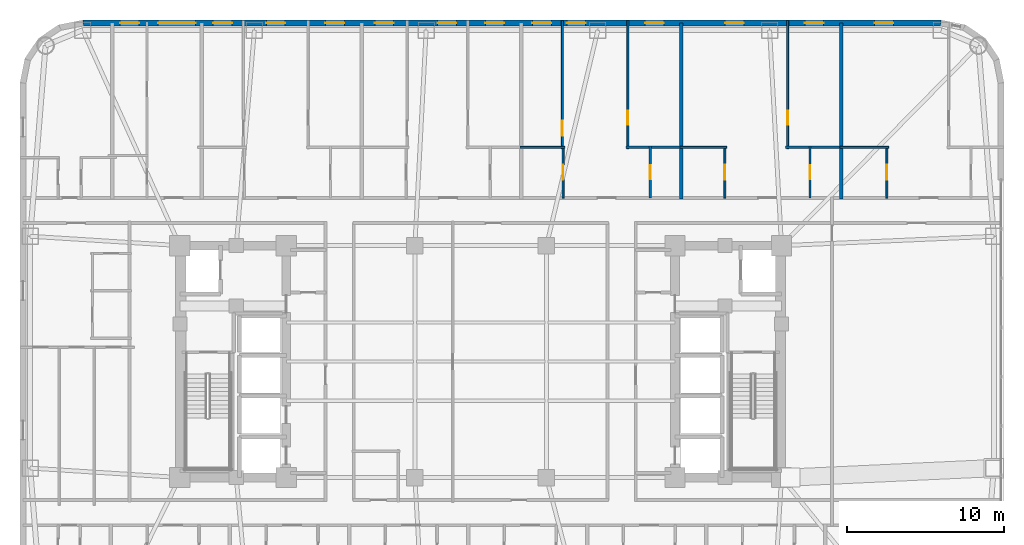
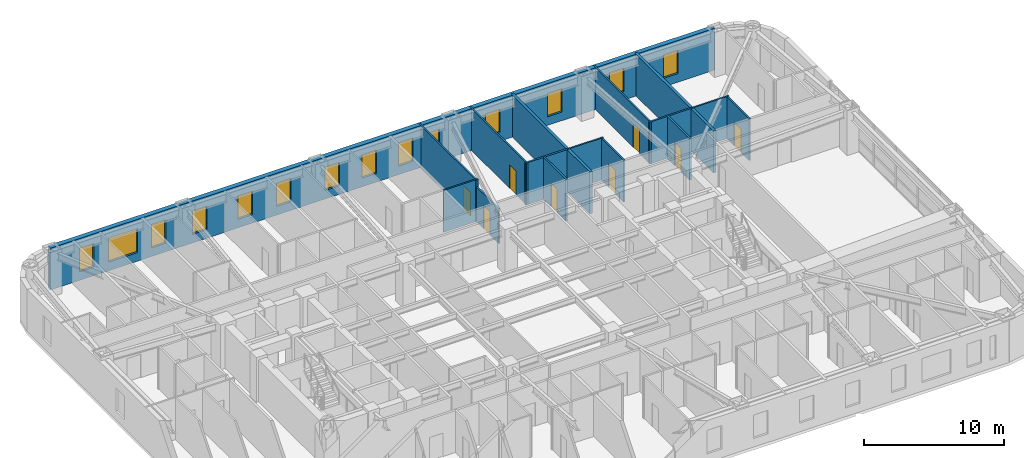
# One storey, part 13 of 16: 16 walls, 14 windows, 8 doors, 22 openings.
"""IFC4 building model written with IfcOpenShell, lengths in metres."""

from ifc_helpers import new_model, si_unit, direction, frame, frame_2d, origin, place, context, subcontext, project, spatial, rectangle, extrude, material, layer, layer_set, type_object, element, fill, save


model = new_model("IFC4")

# Units and contexts
model_context = context("Model", 3, precision=1e-05, world=origin(), true_north=direction((0.0, 1.0)))
body_context = subcontext(model_context, "Body", "Model", "MODEL_VIEW")
ifc_project = project(units=[si_unit("LENGTHUNIT", "METRE"), si_unit("AREAUNIT", "SQUARE_METRE"), si_unit("VOLUMEUNIT", "CUBIC_METRE"), si_unit("PLANEANGLEUNIT", "RADIAN"), si_unit("MASSUNIT", "GRAM", prefix="KILO")], contexts=[model_context])

# Site, building, storey
site_placement = place(None, origin())
site = spatial("IfcSite", under=ifc_project, at=site_placement, CompositionType="ELEMENT")
building_placement = place(site_placement, origin())
building = spatial("IfcBuilding", under=site, at=building_placement, Name="Voryun Gate Residences", CompositionType="ELEMENT")
storey_placement = place(building_placement, frame((0.0, 0.0, 93.60009765625)))
storey = spatial("IfcBuildingStorey", under=building, at=storey_placement, Name="L22", CompositionType="ELEMENT", Elevation=93.60009765625)

# Wall, openings, windows
ifc_material_1 = material(Name="Granite masonry", Category="masonry")
ifc_layer_1 = layer(ifc_material_1, 0.3798828125, Name="W_EXT_GRANITE_380")
ifc_layer_set_1 = layer_set([ifc_layer_1], Name="Granite masonry")
wall_type_1 = type_object("IfcWallType", Name="W_EXT_GRANITE_380", PredefinedType="ELEMENTEDWALL", material=ifc_layer_set_1)
wall_1_placement = place(storey_placement, frame((-25.38134765625, 21.610107421875, 0.0), z_axis=(0.0, 0.0, 1.0), x_axis=(1.0, 0.0, 0.0)))
wall_1 = element("IfcWall", 1, at=wall_1_placement, inside=storey, type_object=wall_type_1, Name="Exterior wall WEXT-L22-11", PredefinedType="ELEMENTEDWALL", context=body_context, shape_type="SweptSolid", body=[
    extrude(rectangle(XDim=54.7626953125, YDim=0.3798828125, at=frame_2d((27.38134765625, 0.0))), origin(), (0.0, 0.0, 1.0), 3.64990234375),
])
opening_1_placement = place(wall_1_placement, frame((4.79541015625, 0.0, 0.75)))
opening_1 = element("IfcOpeningElement", 2, at=opening_1_placement, cuts=wall_1, Name="Opening WN2", PredefinedType="OPENING", context=body_context, shape_type="SweptSolid", body=[
    extrude(rectangle(XDim=2.39990234375, YDim=2.10009765625, at=frame_2d((1.199951171875, 1.050048828125))), frame((0.0, 0.199951171875, 0.0), z_axis=(0.0, -1.0, 0.0), x_axis=(1.0, 0.0, 0.0)), (0.0, 0.0, 1.0), 0.39990234375),
])
opening_2_placement = place(wall_1_placement, frame((2.377197265625, 0.0, 0.75)))
opening_2 = element("IfcOpeningElement", 3, at=opening_2_placement, cuts=wall_1, Name="Opening WN6", PredefinedType="OPENING", context=body_context, shape_type="SweptSolid", body=[
    extrude(rectangle(XDim=1.199951171875, YDim=2.050048828125, at=frame_2d((0.60009765625, 1.02490234375))), frame((0.0, 0.199951171875, 0.0), z_axis=(0.0, -1.0, 0.0), x_axis=(1.0, 0.0, 0.0)), (0.0, 0.0, 1.0), 0.39990234375),
])
opening_3_placement = place(wall_1_placement, frame((11.706787109375, 0.0, 0.75)))
opening_3 = element("IfcOpeningElement", 4, at=opening_3_placement, cuts=wall_1, Name="Opening WN6", PredefinedType="OPENING", context=body_context, shape_type="SweptSolid", body=[
    extrude(rectangle(XDim=1.199951171875, YDim=2.050048828125, at=frame_2d((0.60009765625, 1.02490234375))), frame((0.0, 0.199951171875, 0.0), z_axis=(0.0, -1.0, 0.0), x_axis=(1.0, 0.0, 0.0)), (0.0, 0.0, 1.0), 0.39990234375),
])
opening_4_placement = place(wall_1_placement, frame((8.311767578125, 0.0, 0.75)))
opening_4 = element("IfcOpeningElement", 5, at=opening_4_placement, cuts=wall_1, Name="Opening WN6", PredefinedType="OPENING", context=body_context, shape_type="SweptSolid", body=[
    extrude(rectangle(XDim=1.199951171875, YDim=2.050048828125, at=frame_2d((0.60009765625, 1.02490234375))), frame((0.0, 0.199951171875, 0.0), z_axis=(0.0, -1.0, 0.0), x_axis=(1.0, 0.0, 0.0)), (0.0, 0.0, 1.0), 0.39990234375),
])
opening_5_placement = place(wall_1_placement, frame((15.476318359375, 0.0, 0.75)))
opening_5 = element("IfcOpeningElement", 6, at=opening_5_placement, cuts=wall_1, Name="Opening WN6", PredefinedType="OPENING", context=body_context, shape_type="SweptSolid", body=[
    extrude(rectangle(XDim=1.199951171875, YDim=2.050048828125, at=frame_2d((0.60009765625, 1.02490234375))), frame((0.0, 0.199951171875, 0.0), z_axis=(0.0, -1.0, 0.0), x_axis=(1.0, 0.0, 0.0)), (0.0, 0.0, 1.0), 0.39990234375),
])
opening_6_placement = place(wall_1_placement, frame((22.627685546875, 0.0, 0.75)))
opening_6 = element("IfcOpeningElement", 7, at=opening_6_placement, cuts=wall_1, Name="Opening WN6", PredefinedType="OPENING", context=body_context, shape_type="SweptSolid", body=[
    extrude(rectangle(XDim=1.199951171875, YDim=2.050048828125, at=frame_2d((0.60009765625, 1.02490234375))), frame((0.0, 0.199951171875, 0.0), z_axis=(0.0, -1.0, 0.0), x_axis=(1.0, 0.0, 0.0)), (0.0, 0.0, 1.0), 0.39990234375),
])
opening_7_placement = place(wall_1_placement, frame((18.6328125, 0.0, 0.75)))
opening_7 = element("IfcOpeningElement", 8, at=opening_7_placement, cuts=wall_1, Name="Opening WN6", PredefinedType="OPENING", context=body_context, shape_type="SweptSolid", body=[
    extrude(rectangle(XDim=1.199951171875, YDim=2.050048828125, at=frame_2d((0.60009765625, 1.02490234375))), frame((0.0, 0.199951171875, 0.0), z_axis=(0.0, -1.0, 0.0), x_axis=(1.0, 0.0, 0.0)), (0.0, 0.0, 1.0), 0.39990234375),
])
opening_8_placement = place(wall_1_placement, frame((25.67626953125, 0.0, 0.75)))
opening_8 = element("IfcOpeningElement", 9, at=opening_8_placement, cuts=wall_1, Name="Opening WN6", PredefinedType="OPENING", context=body_context, shape_type="SweptSolid", body=[
    extrude(rectangle(XDim=1.199951171875, YDim=2.050048828125, at=frame_2d((0.60009765625, 1.02490234375))), frame((0.0, 0.199951171875, 0.0), z_axis=(0.0, -1.0, 0.0), x_axis=(1.0, 0.0, 0.0)), (0.0, 0.0, 1.0), 0.39990234375),
])
opening_9_placement = place(wall_1_placement, frame((30.88134765625, 0.0, 0.75)))
opening_9 = element("IfcOpeningElement", 10, at=opening_9_placement, cuts=wall_1, Name="Opening WN6", PredefinedType="OPENING", context=body_context, shape_type="SweptSolid", body=[
    extrude(rectangle(XDim=1.199951171875, YDim=2.050048828125, at=frame_2d((0.60009765625, 1.02490234375))), frame((0.0, 0.199951171875, 0.0), z_axis=(0.0, -1.0, 0.0), x_axis=(1.0, 0.0, 0.0)), (0.0, 0.0, 1.0), 0.39990234375),
])
opening_10_placement = place(wall_1_placement, frame((28.686279296875, 0.0, 0.75)))
opening_10 = element("IfcOpeningElement", 11, at=opening_10_placement, cuts=wall_1, Name="Opening WN6", PredefinedType="OPENING", context=body_context, shape_type="SweptSolid", body=[
    extrude(rectangle(XDim=1.199951171875, YDim=2.050048828125, at=frame_2d((0.60009765625, 1.02490234375))), frame((0.0, 0.199951171875, 0.0), z_axis=(0.0, -1.0, 0.0), x_axis=(1.0, 0.0, 0.0)), (0.0, 0.0, 1.0), 0.39990234375),
])
opening_11_placement = place(wall_1_placement, frame((35.876220703125, 0.0, 0.75)))
opening_11 = element("IfcOpeningElement", 12, at=opening_11_placement, cuts=wall_1, Name="Opening WN6", PredefinedType="OPENING", context=body_context, shape_type="SweptSolid", body=[
    extrude(rectangle(XDim=1.199951171875, YDim=2.050048828125, at=frame_2d((0.60009765625, 1.02490234375))), frame((0.0, 0.199951171875, 0.0), z_axis=(0.0, -1.0, 0.0), x_axis=(1.0, 0.0, 0.0)), (0.0, 0.0, 1.0), 0.39990234375),
])
opening_12_placement = place(wall_1_placement, frame((40.976318359375, 0.0, 0.75)))
opening_12 = element("IfcOpeningElement", 13, at=opening_12_placement, cuts=wall_1, Name="Opening WN6", PredefinedType="OPENING", context=body_context, shape_type="SweptSolid", body=[
    extrude(rectangle(XDim=1.199951171875, YDim=2.050048828125, at=frame_2d((0.60009765625, 1.02490234375))), frame((0.0, 0.199951171875, 0.0), z_axis=(0.0, -1.0, 0.0), x_axis=(1.0, 0.0, 0.0)), (0.0, 0.0, 1.0), 0.39990234375),
])
opening_13_placement = place(wall_1_placement, frame((46.076416015625, 0.0, 0.75)))
opening_13 = element("IfcOpeningElement", 14, at=opening_13_placement, cuts=wall_1, Name="Opening WN6", PredefinedType="OPENING", context=body_context, shape_type="SweptSolid", body=[
    extrude(rectangle(XDim=1.199951171875, YDim=2.050048828125, at=frame_2d((0.60009765625, 1.02490234375))), frame((0.0, 0.199951171875, 0.0), z_axis=(0.0, -1.0, 0.0), x_axis=(1.0, 0.0, 0.0)), (0.0, 0.0, 1.0), 0.39990234375),
])
opening_14_placement = place(wall_1_placement, frame((50.52685546875, 0.0, 0.75)))
opening_14 = element("IfcOpeningElement", 15, at=opening_14_placement, cuts=wall_1, Name="Opening WN6", PredefinedType="OPENING", context=body_context, shape_type="SweptSolid", body=[
    extrude(rectangle(XDim=1.199951171875, YDim=2.050048828125, at=frame_2d((0.60009765625, 1.02490234375))), frame((0.0, 0.199951171875, 0.0), z_axis=(0.0, -1.0, 0.0), x_axis=(1.0, 0.0, 0.0)), (0.0, 0.0, 1.0), 0.39990234375),
])
ifc_material_2 = material(Name="Laminated low-E glass", Category="glass")
window_type_1 = type_object("IfcWindowType", Name="WN_POD_SLOT_1200", PartitioningType="SINGLE_PANEL", PredefinedType="WINDOW", material=ifc_material_2)
window_1_placement = place(opening_2_placement, origin())
window_1 = element("IfcWindow", 16, at=window_1_placement, inside=storey, type_object=window_type_1, Name="Window WN-L22-DWFIX-02", OverallHeight=2.050048828125, OverallWidth=1.199951171875, PartitioningType="SINGLE_PANEL", PredefinedType="WINDOW", context=body_context, shape_type="SweptSolid", body=[
    extrude(rectangle(XDim=1.199951171875, YDim=2.050048828125, at=frame_2d((0.60009765625, 1.02490234375))), frame((0.0, 0.030029296875, 0.0), z_axis=(0.0, -1.0, 0.0), x_axis=(1.0, 0.0, 0.0)), (0.0, 0.0, 1.0), 0.06005859375),
])
fill(opening_2, window_1)
window_2_placement = place(opening_3_placement, origin())
window_2 = element("IfcWindow", 17, at=window_2_placement, inside=storey, type_object=window_type_1, Name="Window WN-L22-DWFIX-03", OverallHeight=2.050048828125, OverallWidth=1.199951171875, PartitioningType="SINGLE_PANEL", PredefinedType="WINDOW", context=body_context, shape_type="SweptSolid", body=[
    extrude(rectangle(XDim=1.199951171875, YDim=2.050048828125, at=frame_2d((0.60009765625, 1.02490234375))), frame((0.0, 0.030029296875, 0.0), z_axis=(0.0, -1.0, 0.0), x_axis=(1.0, 0.0, 0.0)), (0.0, 0.0, 1.0), 0.06005859375),
])
fill(opening_3, window_2)
window_3_placement = place(opening_4_placement, origin())
window_3 = element("IfcWindow", 18, at=window_3_placement, inside=storey, type_object=window_type_1, Name="Window WN-L22-DWFIX-04", OverallHeight=2.050048828125, OverallWidth=1.199951171875, PartitioningType="SINGLE_PANEL", PredefinedType="WINDOW", context=body_context, shape_type="SweptSolid", body=[
    extrude(rectangle(XDim=1.199951171875, YDim=2.050048828125, at=frame_2d((0.60009765625, 1.02490234375))), frame((0.0, 0.030029296875, 0.0), z_axis=(0.0, -1.0, 0.0), x_axis=(1.0, 0.0, 0.0)), (0.0, 0.0, 1.0), 0.06005859375),
])
fill(opening_4, window_3)
window_4_placement = place(opening_5_placement, origin())
window_4 = element("IfcWindow", 19, at=window_4_placement, inside=storey, type_object=window_type_1, Name="Window WN-L22-DWFIX-05", OverallHeight=2.050048828125, OverallWidth=1.199951171875, PartitioningType="SINGLE_PANEL", PredefinedType="WINDOW", context=body_context, shape_type="SweptSolid", body=[
    extrude(rectangle(XDim=1.199951171875, YDim=2.050048828125, at=frame_2d((0.60009765625, 1.02490234375))), frame((0.0, 0.030029296875, 0.0), z_axis=(0.0, -1.0, 0.0), x_axis=(1.0, 0.0, 0.0)), (0.0, 0.0, 1.0), 0.06005859375),
])
fill(opening_5, window_4)
window_5_placement = place(opening_6_placement, origin())
window_5 = element("IfcWindow", 20, at=window_5_placement, inside=storey, type_object=window_type_1, Name="Window WN-L22-DWFIX-06", OverallHeight=2.050048828125, OverallWidth=1.199951171875, PartitioningType="SINGLE_PANEL", PredefinedType="WINDOW", context=body_context, shape_type="SweptSolid", body=[
    extrude(rectangle(XDim=1.199951171875, YDim=2.050048828125, at=frame_2d((0.60009765625, 1.02490234375))), frame((0.0, 0.030029296875, 0.0), z_axis=(0.0, -1.0, 0.0), x_axis=(1.0, 0.0, 0.0)), (0.0, 0.0, 1.0), 0.06005859375),
])
fill(opening_6, window_5)
window_6_placement = place(opening_7_placement, origin())
window_6 = element("IfcWindow", 21, at=window_6_placement, inside=storey, type_object=window_type_1, Name="Window WN-L22-DWFIX-07", OverallHeight=2.050048828125, OverallWidth=1.199951171875, PartitioningType="SINGLE_PANEL", PredefinedType="WINDOW", context=body_context, shape_type="SweptSolid", body=[
    extrude(rectangle(XDim=1.199951171875, YDim=2.050048828125, at=frame_2d((0.60009765625, 1.02490234375))), frame((0.0, 0.030029296875, 0.0), z_axis=(0.0, -1.0, 0.0), x_axis=(1.0, 0.0, 0.0)), (0.0, 0.0, 1.0), 0.06005859375),
])
fill(opening_7, window_6)
window_7_placement = place(opening_8_placement, origin())
window_7 = element("IfcWindow", 22, at=window_7_placement, inside=storey, type_object=window_type_1, Name="Window WN-L22-DWFIX-08", OverallHeight=2.050048828125, OverallWidth=1.199951171875, PartitioningType="SINGLE_PANEL", PredefinedType="WINDOW", context=body_context, shape_type="SweptSolid", body=[
    extrude(rectangle(XDim=1.199951171875, YDim=2.050048828125, at=frame_2d((0.60009765625, 1.02490234375))), frame((0.0, 0.030029296875, 0.0), z_axis=(0.0, -1.0, 0.0), x_axis=(1.0, 0.0, 0.0)), (0.0, 0.0, 1.0), 0.06005859375),
])
fill(opening_8, window_7)
window_8_placement = place(opening_9_placement, origin())
window_8 = element("IfcWindow", 23, at=window_8_placement, inside=storey, type_object=window_type_1, Name="Window WN-L22-DWFIX-09", OverallHeight=2.050048828125, OverallWidth=1.199951171875, PartitioningType="SINGLE_PANEL", PredefinedType="WINDOW", context=body_context, shape_type="SweptSolid", body=[
    extrude(rectangle(XDim=1.199951171875, YDim=2.050048828125, at=frame_2d((0.60009765625, 1.02490234375))), frame((0.0, 0.030029296875, 0.0), z_axis=(0.0, -1.0, 0.0), x_axis=(1.0, 0.0, 0.0)), (0.0, 0.0, 1.0), 0.06005859375),
])
fill(opening_9, window_8)
window_9_placement = place(opening_10_placement, origin())
window_9 = element("IfcWindow", 24, at=window_9_placement, inside=storey, type_object=window_type_1, Name="Window WN-L22-DWFIX-10", OverallHeight=2.050048828125, OverallWidth=1.199951171875, PartitioningType="SINGLE_PANEL", PredefinedType="WINDOW", context=body_context, shape_type="SweptSolid", body=[
    extrude(rectangle(XDim=1.199951171875, YDim=2.050048828125, at=frame_2d((0.60009765625, 1.02490234375))), frame((0.0, 0.030029296875, 0.0), z_axis=(0.0, -1.0, 0.0), x_axis=(1.0, 0.0, 0.0)), (0.0, 0.0, 1.0), 0.06005859375),
])
fill(opening_10, window_9)
window_10_placement = place(opening_11_placement, origin())
window_10 = element("IfcWindow", 25, at=window_10_placement, inside=storey, type_object=window_type_1, Name="Window WN-L22-DWFIX-11", OverallHeight=2.050048828125, OverallWidth=1.199951171875, PartitioningType="SINGLE_PANEL", PredefinedType="WINDOW", context=body_context, shape_type="SweptSolid", body=[
    extrude(rectangle(XDim=1.199951171875, YDim=2.050048828125, at=frame_2d((0.60009765625, 1.02490234375))), frame((0.0, 0.030029296875, 0.0), z_axis=(0.0, -1.0, 0.0), x_axis=(1.0, 0.0, 0.0)), (0.0, 0.0, 1.0), 0.06005859375),
])
fill(opening_11, window_10)
window_11_placement = place(opening_12_placement, origin())
window_11 = element("IfcWindow", 26, at=window_11_placement, inside=storey, type_object=window_type_1, Name="Window WN-L22-DWFIX-12", OverallHeight=2.050048828125, OverallWidth=1.199951171875, PartitioningType="SINGLE_PANEL", PredefinedType="WINDOW", context=body_context, shape_type="SweptSolid", body=[
    extrude(rectangle(XDim=1.199951171875, YDim=2.050048828125, at=frame_2d((0.60009765625, 1.02490234375))), frame((0.0, 0.030029296875, 0.0), z_axis=(0.0, -1.0, 0.0), x_axis=(1.0, 0.0, 0.0)), (0.0, 0.0, 1.0), 0.06005859375),
])
fill(opening_12, window_11)
window_12_placement = place(opening_13_placement, origin())
window_12 = element("IfcWindow", 27, at=window_12_placement, inside=storey, type_object=window_type_1, Name="Window WN-L22-DWFIX-13", OverallHeight=2.050048828125, OverallWidth=1.199951171875, PartitioningType="SINGLE_PANEL", PredefinedType="WINDOW", context=body_context, shape_type="SweptSolid", body=[
    extrude(rectangle(XDim=1.199951171875, YDim=2.050048828125, at=frame_2d((0.60009765625, 1.02490234375))), frame((0.0, 0.030029296875, 0.0), z_axis=(0.0, -1.0, 0.0), x_axis=(1.0, 0.0, 0.0)), (0.0, 0.0, 1.0), 0.06005859375),
])
fill(opening_13, window_12)
window_13_placement = place(opening_14_placement, origin())
window_13 = element("IfcWindow", 28, at=window_13_placement, inside=storey, type_object=window_type_1, Name="Window WN-L22-DWFIX-14", OverallHeight=2.050048828125, OverallWidth=1.199951171875, PartitioningType="SINGLE_PANEL", PredefinedType="WINDOW", context=body_context, shape_type="SweptSolid", body=[
    extrude(rectangle(XDim=1.199951171875, YDim=2.050048828125, at=frame_2d((0.60009765625, 1.02490234375))), frame((0.0, 0.030029296875, 0.0), z_axis=(0.0, -1.0, 0.0), x_axis=(1.0, 0.0, 0.0)), (0.0, 0.0, 1.0), 0.06005859375),
])
fill(opening_14, window_13)
ifc_material_3 = material(Name="Laminated low-E glass", Category="glass")
window_type_2 = type_object("IfcWindowType", Name="WN_RES_WIDE_2400", PartitioningType="SINGLE_PANEL", PredefinedType="WINDOW", material=ifc_material_3)
window_14_placement = place(opening_1_placement, origin())
window_14 = element("IfcWindow", 29, at=window_14_placement, inside=storey, type_object=window_type_2, Name="Window WN-WEXT-L22-11-01", OverallHeight=2.10009765625, OverallWidth=2.39990234375, PartitioningType="SINGLE_PANEL", PredefinedType="WINDOW", context=body_context, shape_type="SweptSolid", body=[
    extrude(rectangle(XDim=2.39990234375, YDim=2.10009765625, at=frame_2d((1.199951171875, 1.050048828125))), frame((0.0, 0.030029296875, 0.0), z_axis=(0.0, -1.0, 0.0), x_axis=(1.0, 0.0, 0.0)), (0.0, 0.0, 1.0), 0.06005859375),
])
fill(opening_1, window_14)

# Walls
ifc_material_4 = material(Name="Concrete C40/50", Category="concrete")
ifc_layer_2 = layer(ifc_material_4, 0.219970703125, Name="W_PARTY_ACOUSTIC_220")
ifc_layer_set_2 = layer_set([ifc_layer_2], Name="Concrete C40/50")
wall_type_2 = type_object("IfcWallType", Name="W_PARTY_ACOUSTIC_220", PredefinedType="PARTITIONING", material=ifc_layer_set_2)
for number, where, z_axis, x_axis, name in (
    (30, (12.800048828125, 10.3701171875, 0.0), (0.0, 0.0, 1.0), (0.0, 1.0, 0.0), "Partition wall WP-L22-NPTY-5"),
    (31, (23.0, 10.3701171875, 0.0), (0.0, 0.0, 1.0), (0.0, 1.0, 0.0), "Partition wall WP-L22-NPTY-6"),
):
    element("IfcWall", number, at=place(storey_placement, frame(where, z_axis=z_axis, x_axis=x_axis)), inside=storey, type_object=wall_type_2, Name=name, PredefinedType="PARTITIONING", context=body_context, shape_type="SweptSolid", body=[
        extrude(rectangle(XDim=11.239990234375, YDim=0.219970703125, at=frame_2d((5.6201171875, 0.0))), origin(), (0.0, 0.0, 1.0), 3.64990234375),
    ])

# Wall, opening, door
ifc_material_5 = material(Name="Gypsum acoustic partition")
ifc_layer_3 = layer(ifc_material_5, 0.125, Name="W_UNIT_PART_125")
ifc_layer_set_3 = layer_set([ifc_layer_3], Name="Gypsum acoustic partition")
wall_type_3 = type_object("IfcWallType", Name="W_UNIT_PART_125", PredefinedType="PARTITIONING", material=ifc_layer_set_3)
wall_2_placement = place(storey_placement, frame((5.2099609375, 13.590087890625, 0.0), z_axis=(0.0, 0.0, 1.0), x_axis=(0.0, 1.0, 0.0)))
wall_2 = element("IfcWall", 32, at=wall_2_placement, inside=storey, type_object=wall_type_3, Name="Partition wall WP-L22-N5-OVL", PredefinedType="PARTITIONING", context=body_context, shape_type="SweptSolid", body=[
    extrude(rectangle(XDim=8.169921875, YDim=0.125, at=frame_2d((4.0849609375, 0.0))), origin(), (0.0, 0.0, 1.0), 3.64990234375),
])
opening_15_placement = place(wall_2_placement, frame((0.832275390625, 0.0, 0.0)))
opening_15 = element("IfcOpeningElement", 33, at=opening_15_placement, cuts=wall_2, Name="Opening D-INT-1", PredefinedType="OPENING", context=body_context, shape_type="SweptSolid", body=[
    extrude(rectangle(XDim=0.949951171875, YDim=2.050048828125, at=frame_2d((0.47509765625, 1.02490234375))), frame((0.0, 0.072509765625, 0.0), z_axis=(0.0, -1.0, 0.0), x_axis=(1.0, 0.0, 0.0)), (0.0, 0.0, 1.0), 0.14501953125),
])
ifc_material_6 = material(Name="Architectural oak veneer")
door_type_1 = type_object("IfcDoorType", Name="DR_INT_ROOM_950", OperationType="NOTDEFINED", PredefinedType="DOOR", material=ifc_material_6)
door_1_placement = place(opening_15_placement, origin())
door_1 = element("IfcDoor", 34, at=door_1_placement, inside=storey, type_object=door_type_1, Name="Door DR-L22-N5-DB2", OperationType="SINGLE_SWING_LEFT", OverallHeight=2.050048828125, OverallWidth=0.949951171875, PredefinedType="DOOR", context=body_context, shape_type="SweptSolid", body=[
    extrude(rectangle(XDim=0.949951171875, YDim=2.050048828125, at=frame_2d((0.47509765625, 1.02490234375))), frame((0.0, 0.02490234375, 0.0), z_axis=(0.0, -1.0, 0.0), x_axis=(1.0, 0.0, 0.0)), (0.0, 0.0, 1.0), 0.050048828125),
])
fill(opening_15, door_1)

wall_3_placement = place(storey_placement, frame((9.389892578125, 13.590087890625, 0.0), z_axis=(0.0, 0.0, 1.0), x_axis=(0.0, 1.0, 0.0)))
wall_3 = element("IfcWall", 35, at=wall_3_placement, inside=storey, type_object=wall_type_3, Name="Partition wall WP-L22-N5-OVR", PredefinedType="PARTITIONING", context=body_context, shape_type="SweptSolid", body=[
    extrude(rectangle(XDim=8.169921875, YDim=0.125, at=frame_2d((4.0849609375, 0.0))), origin(), (0.0, 0.0, 1.0), 3.64990234375),
])
opening_16_placement = place(wall_3_placement, frame((1.5107421875, 0.0, 0.0)))
opening_16 = element("IfcOpeningElement", 36, at=opening_16_placement, cuts=wall_3, Name="Opening D-INT-2", PredefinedType="OPENING", context=body_context, shape_type="SweptSolid", body=[
    extrude(rectangle(XDim=0.89990234375, YDim=2.050048828125, at=frame_2d((0.449951171875, 1.02490234375))), frame((0.0, 0.072509765625, 0.0), z_axis=(0.0, -1.0, 0.0), x_axis=(1.0, 0.0, 0.0)), (0.0, 0.0, 1.0), 0.14501953125),
])
ifc_material_7 = material(Name="Architectural oak veneer")
door_type_2 = type_object("IfcDoorType", Name="DR_INT_BATH_900", OperationType="NOTDEFINED", PredefinedType="DOOR", material=ifc_material_7)
door_2_placement = place(opening_16_placement, origin())
door_2 = element("IfcDoor", 37, at=door_2_placement, inside=storey, type_object=door_type_2, Name="Door DR-L22-N5-DMB", OperationType="SINGLE_SWING_RIGHT", OverallHeight=2.050048828125, OverallWidth=0.89990234375, PredefinedType="DOOR", context=body_context, shape_type="SweptSolid", body=[
    extrude(rectangle(XDim=0.89990234375, YDim=2.050048828125, at=frame_2d((0.449951171875, 1.02490234375))), frame((0.0, 0.02490234375, 0.0), z_axis=(0.0, -1.0, 0.0), x_axis=(1.0, 0.0, 0.0)), (0.0, 0.0, 1.0), 0.050048828125),
])
fill(opening_16, door_2)

wall_4_placement = place(storey_placement, frame((5.260986328125, 10.429931640625, 0.0), z_axis=(0.0, 0.0, 1.0), x_axis=(0.0, 1.0, 0.0)))
wall_4 = element("IfcWall", 38, at=wall_4_placement, inside=storey, type_object=wall_type_3, Name="Partition wall WP-L22-N5-IVK", PredefinedType="PARTITIONING", context=body_context, shape_type="SweptSolid", body=[
    extrude(rectangle(XDim=3.320068359375, YDim=0.125, at=frame_2d((1.66015625, 0.0))), origin(), (0.0, 0.0, 1.0), 3.039794921875),
])
opening_17_placement = place(wall_4_placement, frame((1.18505859375, 0.0, 0.0)))
opening_17 = element("IfcOpeningElement", 39, at=opening_17_placement, cuts=wall_4, Name="Opening D-INT-1", PredefinedType="OPENING", context=body_context, shape_type="SweptSolid", body=[
    extrude(rectangle(XDim=0.949951171875, YDim=2.050048828125, at=frame_2d((0.47509765625, 1.02490234375))), frame((0.0, 0.072509765625, 0.0), z_axis=(0.0, -1.0, 0.0), x_axis=(1.0, 0.0, 0.0)), (0.0, 0.0, 1.0), 0.14501953125),
])
door_3_placement = place(opening_17_placement, origin())
door_3 = element("IfcDoor", 40, at=door_3_placement, inside=storey, type_object=door_type_1, Name="Door DR-L22-N5-DK", OperationType="SINGLE_SWING_LEFT", OverallHeight=2.050048828125, OverallWidth=0.949951171875, PredefinedType="DOOR", context=body_context, shape_type="SweptSolid", body=[
    extrude(rectangle(XDim=0.949951171875, YDim=2.050048828125, at=frame_2d((0.47509765625, 1.02490234375))), frame((0.0, 0.02490234375, 0.0), z_axis=(0.0, -1.0, 0.0), x_axis=(1.0, 0.0, 0.0)), (0.0, 0.0, 1.0), 0.050048828125),
])
fill(opening_17, door_3)

# Wall
wall_5_placement = place(storey_placement, frame((2.52490234375, 13.669921875, 0.0), z_axis=(0.0, 0.0, 1.0), x_axis=(1.0, 0.0, 0.0)))
element("IfcWall", 41, at=wall_5_placement, inside=storey, type_object=wall_type_3, Name="Partition wall WP-L22-N5-HZK", PredefinedType="PARTITIONING", context=body_context, shape_type="SweptSolid", body=[
    extrude(rectangle(XDim=2.856201171875, YDim=0.125, at=frame_2d((1.42822265625, 0.0))), origin(), (0.0, 0.0, 1.0), 3.64990234375),
])

# Wall, opening, door
wall_6_placement = place(storey_placement, frame((19.590087890625, 13.590087890625, 0.0), z_axis=(0.0, 0.0, 1.0), x_axis=(0.0, 1.0, 0.0)))
wall_6 = element("IfcWall", 42, at=wall_6_placement, inside=storey, type_object=wall_type_3, Name="Partition wall WP-L22-N6-OVR", PredefinedType="PARTITIONING", context=body_context, shape_type="SweptSolid", body=[
    extrude(rectangle(XDim=8.169921875, YDim=0.125, at=frame_2d((4.0849609375, 0.0))), origin(), (0.0, 0.0, 1.0), 3.64990234375),
])
opening_18_placement = place(wall_6_placement, frame((1.5107421875, 0.0, 0.0)))
opening_18 = element("IfcOpeningElement", 43, at=opening_18_placement, cuts=wall_6, Name="Opening D-INT-2", PredefinedType="OPENING", context=body_context, shape_type="SweptSolid", body=[
    extrude(rectangle(XDim=0.89990234375, YDim=2.050048828125, at=frame_2d((0.449951171875, 1.02490234375))), frame((0.0, 0.072509765625, 0.0), z_axis=(0.0, -1.0, 0.0), x_axis=(1.0, 0.0, 0.0)), (0.0, 0.0, 1.0), 0.14501953125),
])
door_4_placement = place(opening_18_placement, origin())
door_4 = element("IfcDoor", 44, at=door_4_placement, inside=storey, type_object=door_type_2, Name="Door DR-L22-N6-DMB", OperationType="SINGLE_SWING_RIGHT", OverallHeight=2.050048828125, OverallWidth=0.89990234375, PredefinedType="DOOR", context=body_context, shape_type="SweptSolid", body=[
    extrude(rectangle(XDim=0.89990234375, YDim=2.050048828125, at=frame_2d((0.449951171875, 1.02490234375))), frame((0.0, 0.02490234375, 0.0), z_axis=(0.0, -1.0, 0.0), x_axis=(1.0, 0.0, 0.0)), (0.0, 0.0, 1.0), 0.050048828125),
])
fill(opening_18, door_4)

wall_7_placement = place(storey_placement, frame((15.58203125, 10.429931640625, 0.0), z_axis=(0.0, 0.0, 1.0), x_axis=(0.0, 1.0, 0.0)))
wall_7 = element("IfcWall", 45, at=wall_7_placement, inside=storey, type_object=wall_type_3, Name="Partition wall WP-L22-N6-IVK", PredefinedType="PARTITIONING", context=body_context, shape_type="SweptSolid", body=[
    extrude(rectangle(XDim=3.320068359375, YDim=0.125, at=frame_2d((1.66015625, 0.0))), origin(), (0.0, 0.0, 1.0), 3.64990234375),
])
opening_19_placement = place(wall_7_placement, frame((1.18505859375, 0.0, 0.0)))
opening_19 = element("IfcOpeningElement", 46, at=opening_19_placement, cuts=wall_7, Name="Opening D-INT-1", PredefinedType="OPENING", context=body_context, shape_type="SweptSolid", body=[
    extrude(rectangle(XDim=0.949951171875, YDim=2.050048828125, at=frame_2d((0.47509765625, 1.02490234375))), frame((0.0, 0.072509765625, 0.0), z_axis=(0.0, -1.0, 0.0), x_axis=(1.0, 0.0, 0.0)), (0.0, 0.0, 1.0), 0.14501953125),
])
door_5_placement = place(opening_19_placement, origin())
door_5 = element("IfcDoor", 47, at=door_5_placement, inside=storey, type_object=door_type_1, Name="Door DR-L22-N6-DK", OperationType="SINGLE_SWING_LEFT", OverallHeight=2.050048828125, OverallWidth=0.949951171875, PredefinedType="DOOR", context=body_context, shape_type="SweptSolid", body=[
    extrude(rectangle(XDim=0.949951171875, YDim=2.050048828125, at=frame_2d((0.47509765625, 1.02490234375))), frame((0.0, 0.02490234375, 0.0), z_axis=(0.0, -1.0, 0.0), x_axis=(1.0, 0.0, 0.0)), (0.0, 0.0, 1.0), 0.050048828125),
])
fill(opening_19, door_5)

# Wall
wall_8_placement = place(storey_placement, frame((12.72509765625, 13.669921875, 0.0), z_axis=(0.0, 0.0, 1.0), x_axis=(1.0, 0.0, 0.0)))
element("IfcWall", 48, at=wall_8_placement, inside=storey, type_object=wall_type_3, Name="Partition wall WP-L22-N6-HZK", PredefinedType="PARTITIONING", context=body_context, shape_type="SweptSolid", body=[
    extrude(rectangle(XDim=2.976806640625, YDim=0.125, at=frame_2d((1.48828125, 0.0))), origin(), (0.0, 0.0, 1.0), 3.64990234375),
])

# Wall, opening, door
wall_9_placement = place(storey_placement, frame((25.924072265625, 10.429931640625, 0.0), z_axis=(0.0, 0.0, 1.0), x_axis=(0.0, 1.0, 0.0)))
wall_9 = element("IfcWall", 49, at=wall_9_placement, inside=storey, type_object=wall_type_3, Name="Partition wall WP-L22-N7-IVK", PredefinedType="PARTITIONING", context=body_context, shape_type="SweptSolid", body=[
    extrude(rectangle(XDim=3.320068359375, YDim=0.125, at=frame_2d((1.66015625, 0.0))), origin(), (0.0, 0.0, 1.0), 3.64990234375),
])
opening_20_placement = place(wall_9_placement, frame((1.18505859375, 0.0, 0.0)))
opening_20 = element("IfcOpeningElement", 50, at=opening_20_placement, cuts=wall_9, Name="Opening D-INT-1", PredefinedType="OPENING", context=body_context, shape_type="SweptSolid", body=[
    extrude(rectangle(XDim=0.949951171875, YDim=2.050048828125, at=frame_2d((0.47509765625, 1.02490234375))), frame((0.0, 0.072509765625, 0.0), z_axis=(0.0, -1.0, 0.0), x_axis=(1.0, 0.0, 0.0)), (0.0, 0.0, 1.0), 0.14501953125),
])
door_6_placement = place(opening_20_placement, origin())
door_6 = element("IfcDoor", 51, at=door_6_placement, inside=storey, type_object=door_type_1, Name="Door DR-L22-N7-DK", OperationType="SINGLE_SWING_LEFT", OverallHeight=2.050048828125, OverallWidth=0.949951171875, PredefinedType="DOOR", context=body_context, shape_type="SweptSolid", body=[
    extrude(rectangle(XDim=0.949951171875, YDim=2.050048828125, at=frame_2d((0.47509765625, 1.02490234375))), frame((0.0, 0.02490234375, 0.0), z_axis=(0.0, -1.0, 0.0), x_axis=(1.0, 0.0, 0.0)), (0.0, 0.0, 1.0), 0.050048828125),
])
fill(opening_20, door_6)

# Walls
wall_10_placement = place(storey_placement, frame((22.925048828125, 13.669921875, 0.0), z_axis=(0.0, 0.0, 1.0), x_axis=(1.0, 0.0, 0.0)))
element("IfcWall", 52, at=wall_10_placement, inside=storey, type_object=wall_type_3, Name="Partition wall WP-L22-N7-HZK", PredefinedType="PARTITIONING", context=body_context, shape_type="SweptSolid", body=[
    extrude(rectangle(XDim=3.118896484375, YDim=0.125, at=frame_2d((1.5595703125, 0.0))), origin(), (0.0, 0.0, 1.0), 3.64990234375),
])
ifc_material_8 = material(Name="Gypsum moisture-resistant partition")
ifc_layer_4 = layer(ifc_material_8, 0.14990234375, Name="W_WET_PLUMB_150")
ifc_layer_set_4 = layer_set([ifc_layer_4], Name="Gypsum moisture-resistant partition")
wall_type_4 = type_object("IfcWallType", Name="W_WET_PLUMB_150", PredefinedType="PLUMBINGWALL", material=ifc_layer_set_4)
wall_11_placement = place(storey_placement, frame((9.27001953125, 13.669921875, 0.0), z_axis=(0.0, 0.0, 1.0), x_axis=(1.0, 0.0, 0.0)))
element("IfcWall", 53, at=wall_11_placement, inside=storey, type_object=wall_type_4, Name="Partition wall WP-L22-N5-HZB", PredefinedType="PLUMBINGWALL", context=body_context, shape_type="SweptSolid", body=[
    extrude(rectangle(XDim=3.60498046875, YDim=0.14990234375, at=frame_2d((1.802490234375, 0.0))), origin(), (0.0, 0.0, 1.0), 3.64990234375),
])

# Wall, opening, door
wall_12_placement = place(storey_placement, frame((10.820068359375, 10.429931640625, 0.0), z_axis=(0.0, 0.0, 1.0), x_axis=(0.0, 1.0, 0.0)))
wall_12 = element("IfcWall", 54, at=wall_12_placement, inside=storey, type_object=wall_type_4, Name="Partition wall WP-L22-N5-IVB", PredefinedType="PLUMBINGWALL", context=body_context, shape_type="SweptSolid", body=[
    extrude(rectangle(XDim=3.320068359375, YDim=0.14990234375, at=frame_2d((1.66015625, 0.0))), origin(), (0.0, 0.0, 1.0), 3.64990234375),
])
opening_21_placement = place(wall_12_placement, frame((1.2099609375, 0.0, 0.0)))
opening_21 = element("IfcOpeningElement", 55, at=opening_21_placement, cuts=wall_12, Name="Opening D-INT-2", PredefinedType="OPENING", context=body_context, shape_type="SweptSolid", body=[
    extrude(rectangle(XDim=0.89990234375, YDim=2.050048828125, at=frame_2d((0.449951171875, 1.02490234375))), frame((0.0, 0.0849609375, 0.0), z_axis=(0.0, -1.0, 0.0), x_axis=(1.0, 0.0, 0.0)), (0.0, 0.0, 1.0), 0.169921875),
])
door_7_placement = place(opening_21_placement, origin())
door_7 = element("IfcDoor", 56, at=door_7_placement, inside=storey, type_object=door_type_2, Name="Door DR-L22-N5-DB", OperationType="SINGLE_SWING_RIGHT", OverallHeight=2.050048828125, OverallWidth=0.89990234375, PredefinedType="DOOR", context=body_context, shape_type="SweptSolid", body=[
    extrude(rectangle(XDim=0.89990234375, YDim=2.050048828125, at=frame_2d((0.449951171875, 1.02490234375))), frame((0.0, 0.02490234375, 0.0), z_axis=(0.0, -1.0, 0.0), x_axis=(1.0, 0.0, 0.0)), (0.0, 0.0, 1.0), 0.050048828125),
])
fill(opening_21, door_7)

# Wall
wall_13_placement = place(storey_placement, frame((19.469970703125, 13.669921875, 0.0), z_axis=(0.0, 0.0, 1.0), x_axis=(1.0, 0.0, 0.0)))
element("IfcWall", 57, at=wall_13_placement, inside=storey, type_object=wall_type_4, Name="Partition wall WP-L22-N6-HZB", PredefinedType="PLUMBINGWALL", context=body_context, shape_type="SweptSolid", body=[
    extrude(rectangle(XDim=3.60498046875, YDim=0.14990234375, at=frame_2d((1.802490234375, 0.0))), origin(), (0.0, 0.0, 1.0), 3.64990234375),
])

# Wall, opening, door
wall_14_placement = place(storey_placement, frame((21.02001953125, 10.429931640625, 0.0), z_axis=(0.0, 0.0, 1.0), x_axis=(0.0, 1.0, 0.0)))
wall_14 = element("IfcWall", 58, at=wall_14_placement, inside=storey, type_object=wall_type_4, Name="Partition wall WP-L22-N6-IVB", PredefinedType="PLUMBINGWALL", context=body_context, shape_type="SweptSolid", body=[
    extrude(rectangle(XDim=3.320068359375, YDim=0.14990234375, at=frame_2d((1.66015625, 0.0))), origin(), (0.0, 0.0, 1.0), 3.64990234375),
])
opening_22_placement = place(wall_14_placement, frame((1.2099609375, 0.0, 0.0)))
opening_22 = element("IfcOpeningElement", 59, at=opening_22_placement, cuts=wall_14, Name="Opening D-INT-2", PredefinedType="OPENING", context=body_context, shape_type="SweptSolid", body=[
    extrude(rectangle(XDim=0.89990234375, YDim=2.050048828125, at=frame_2d((0.449951171875, 1.02490234375))), frame((0.0, 0.0849609375, 0.0), z_axis=(0.0, -1.0, 0.0), x_axis=(1.0, 0.0, 0.0)), (0.0, 0.0, 1.0), 0.169921875),
])
door_8_placement = place(opening_22_placement, origin())
door_8 = element("IfcDoor", 60, at=door_8_placement, inside=storey, type_object=door_type_2, Name="Door DR-L22-N6-DB", OperationType="SINGLE_SWING_RIGHT", OverallHeight=2.050048828125, OverallWidth=0.89990234375, PredefinedType="DOOR", context=body_context, shape_type="SweptSolid", body=[
    extrude(rectangle(XDim=0.89990234375, YDim=2.050048828125, at=frame_2d((0.449951171875, 1.02490234375))), frame((0.0, 0.02490234375, 0.0), z_axis=(0.0, -1.0, 0.0), x_axis=(1.0, 0.0, 0.0)), (0.0, 0.0, 1.0), 0.050048828125),
])
fill(opening_22, door_8)

save(model, "model.ifc")
